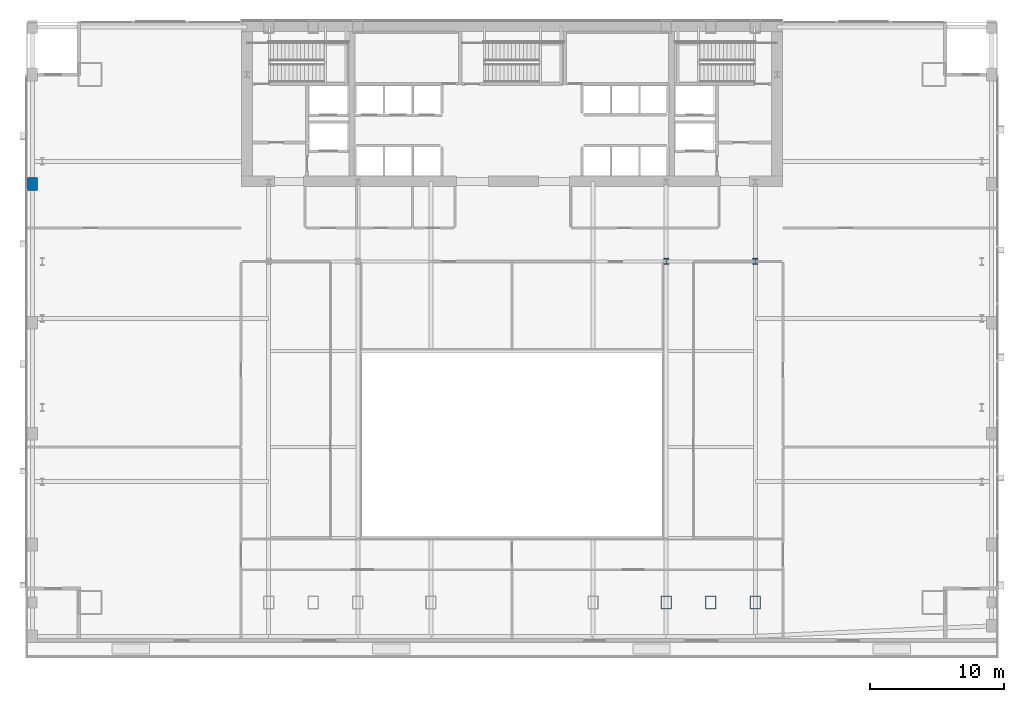
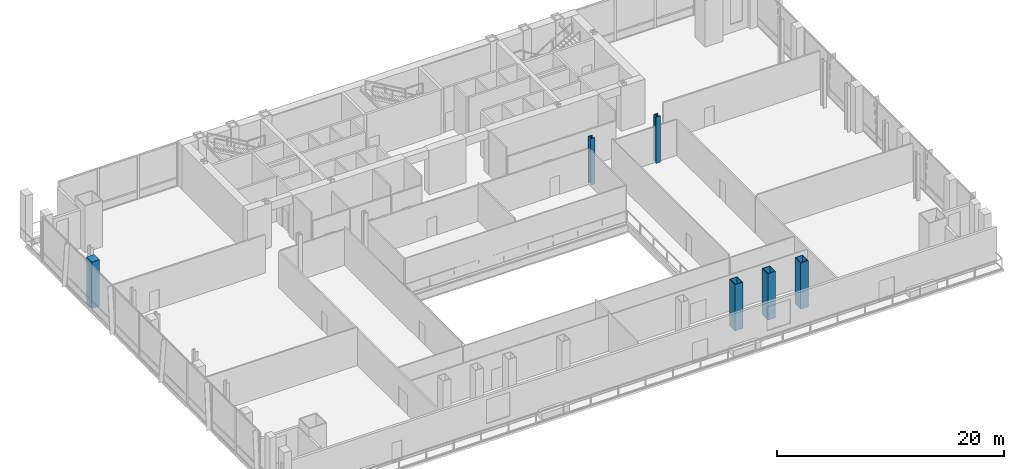
# One storey, part 2 of 25: 6 columns.
"""IFC4 building model written with IfcOpenShell, lengths in metres."""

from ifc_helpers import new_model, si_unit, direction, frame, origin, origin_2d, place, context, subcontext, project, spatial, rectangle, hollow_rectangle, i_section, extrude, material, material_profile, profile_set, type_object, element, save


model = new_model("IFC4")

# Units and contexts
model_context = context("Model", 3, precision=1e-05, world=origin(), true_north=direction((0.0, 1.0)))
body_context = subcontext(model_context, "Body", "Model", "MODEL_VIEW")
ifc_project = project(units=[si_unit("LENGTHUNIT", "METRE"), si_unit("AREAUNIT", "SQUARE_METRE"), si_unit("VOLUMEUNIT", "CUBIC_METRE"), si_unit("PLANEANGLEUNIT", "RADIAN"), si_unit("MASSUNIT", "GRAM", prefix="KILO")], contexts=[model_context])

# Site, building, storey
site_placement = place(None, origin())
site = spatial("IfcSite", under=ifc_project, at=site_placement, CompositionType="ELEMENT")
building_placement = place(site_placement, origin())
building = spatial("IfcBuilding", under=site, at=building_placement, Name="Khoronbel Lancet Exchange", CompositionType="ELEMENT")
storey_placement = place(building_placement, frame((0.0, 0.0, 15.39990234375)))
storey = spatial("IfcBuildingStorey", under=building, at=storey_placement, Name="L03", CompositionType="ELEMENT", Elevation=15.39990234375)

# Columns
ifc_material_1 = material(Name="Steel S460", Category="steel")
ifc_material_profile_1 = material_profile(ifc_material_1, hollow_rectangle(XDim=0.800048828125, YDim=1.0, WallThickness=0.054931640625, at=origin_2d()), Name="BOX 1000x800x55")
ifc_profile_set_1 = profile_set([ifc_material_profile_1], Name="Steel S460")
column_type_1 = type_object("IfcColumnType", Name="COL-EC1", PredefinedType="COLUMN", material=ifc_profile_set_1)
for number, where, z_axis, x_axis, name in (
    (1, (48.0, 10.14990234375, 0.0), (0.0, 0.0, 1.0), (1.0, 0.0, 0.0), "Structural column SC-E1 L03"),
    (2, (51.33740234375, 10.14990234375, 0.0), (0.0, 0.0, 1.0), (1.0, 0.0, 0.0), "Structural column SC-EM L03"),
    (3, (54.675048828125, 10.14990234375, 0.0), (0.0, 0.0, 1.0), (1.0, 0.0, 0.0), "Structural column SC-E2 L03"),
):
    element("IfcColumn", number, at=place(storey_placement, frame(where, z_axis=z_axis, x_axis=x_axis)), inside=storey, type_object=column_type_1, Name=name, PredefinedType="COLUMN", context=body_context, shape_type="SweptSolid", body=[
        extrude(hollow_rectangle(XDim=0.800048828125, YDim=1.0, WallThickness=0.054931640625, at=origin_2d()), origin(), (0.0, 0.0, 1.0), 5.0),
    ])
ifc_material_profile_2 = material_profile(ifc_material_1, i_section(OverallWidth=0.424072265625, OverallDepth=0.47412109375, WebThickness=0.047607421875, FlangeThickness=0.076904296875, at=origin_2d()), Name="HD 400x634")
ifc_profile_set_2 = profile_set([ifc_material_profile_2], Name="Steel S460")
column_type_2 = type_object("IfcColumnType", Name="COL-IC1", PredefinedType="COLUMN", material=ifc_profile_set_2)
for number, where, z_axis, x_axis, name in (
    (4, (48.0, 35.699951171875, 0.0), (0.0, 0.0, 1.0), (1.0, 0.0, 0.0), "Spine gravity column TC3 L03"),
    (5, (54.675048828125, 35.699951171875, 0.0), (0.0, 0.0, 1.0), (1.0, 0.0, 0.0), "Spine gravity column TC4 L03"),
):
    element("IfcColumn", number, at=place(storey_placement, frame(where, z_axis=z_axis, x_axis=x_axis)), inside=storey, type_object=column_type_2, Name=name, PredefinedType="COLUMN", context=body_context, shape_type="SweptSolid", body=[
        extrude(i_section(OverallWidth=0.424072265625, OverallDepth=0.47412109375, WebThickness=0.047607421875, FlangeThickness=0.076904296875, at=origin_2d()), origin(), (0.0, 0.0, 1.0), 5.0),
    ])
ifc_material_2 = material(Name="Concrete C60/75", Category="concrete")
ifc_material_profile_3 = material_profile(ifc_material_2, rectangle(XDim=0.75, YDim=0.949951171875, at=origin_2d()), Name="RC 750x950")
ifc_profile_set_3 = profile_set([ifc_material_profile_3], Name="Concrete C60/75")
column_type_3 = type_object("IfcColumnType", Name="COL-PIL2", PredefinedType="PILASTER", material=ifc_profile_set_3)
column_placement = place(storey_placement, frame((0.550048828125, 41.5, 0.0), z_axis=(0.0, 0.0, 1.0), x_axis=(1.0, 0.0, 0.0)))
element("IfcColumn", 6, at=column_placement, inside=storey, type_object=column_type_3, Name="Podium Gothic colonnade pilaster W4 L03", PredefinedType="PILASTER", context=body_context, shape_type="SweptSolid", body=[
    extrude(rectangle(XDim=0.75, YDim=0.949951171875, at=origin_2d()), origin(), (0.0, 0.0, 1.0), 5.0),
])

save(model, "model.ifc")
